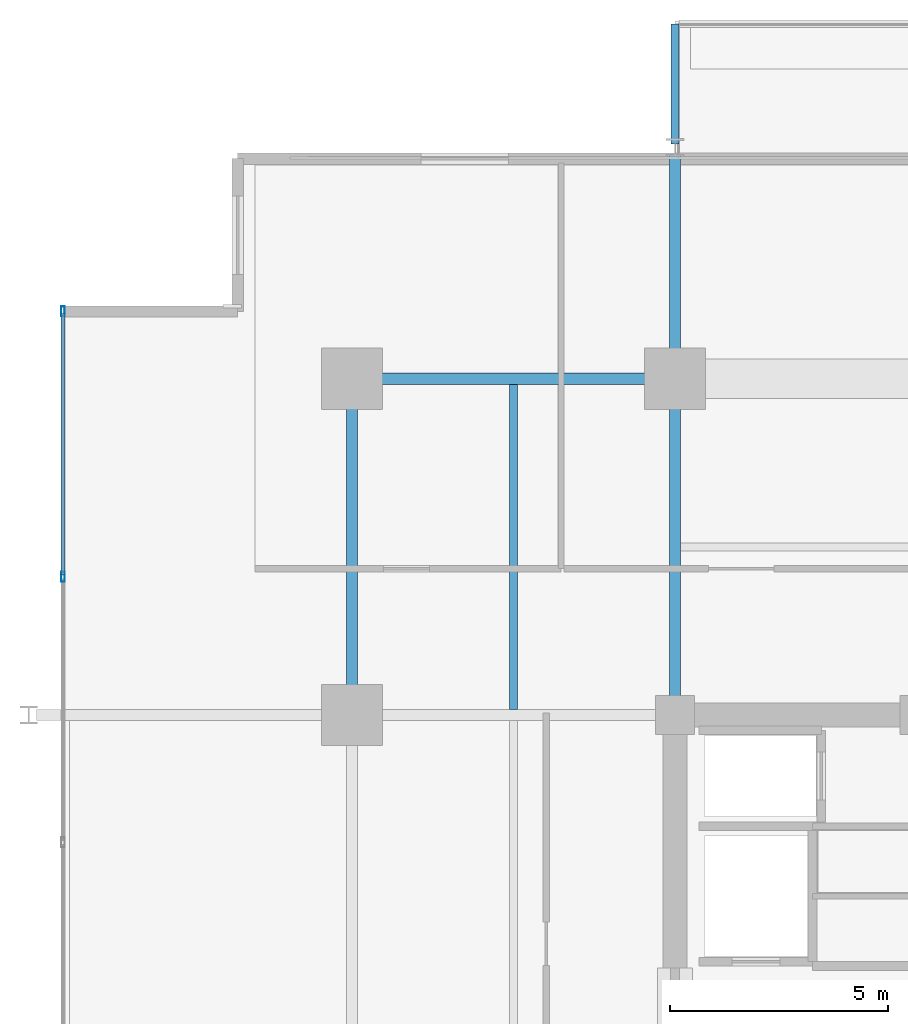
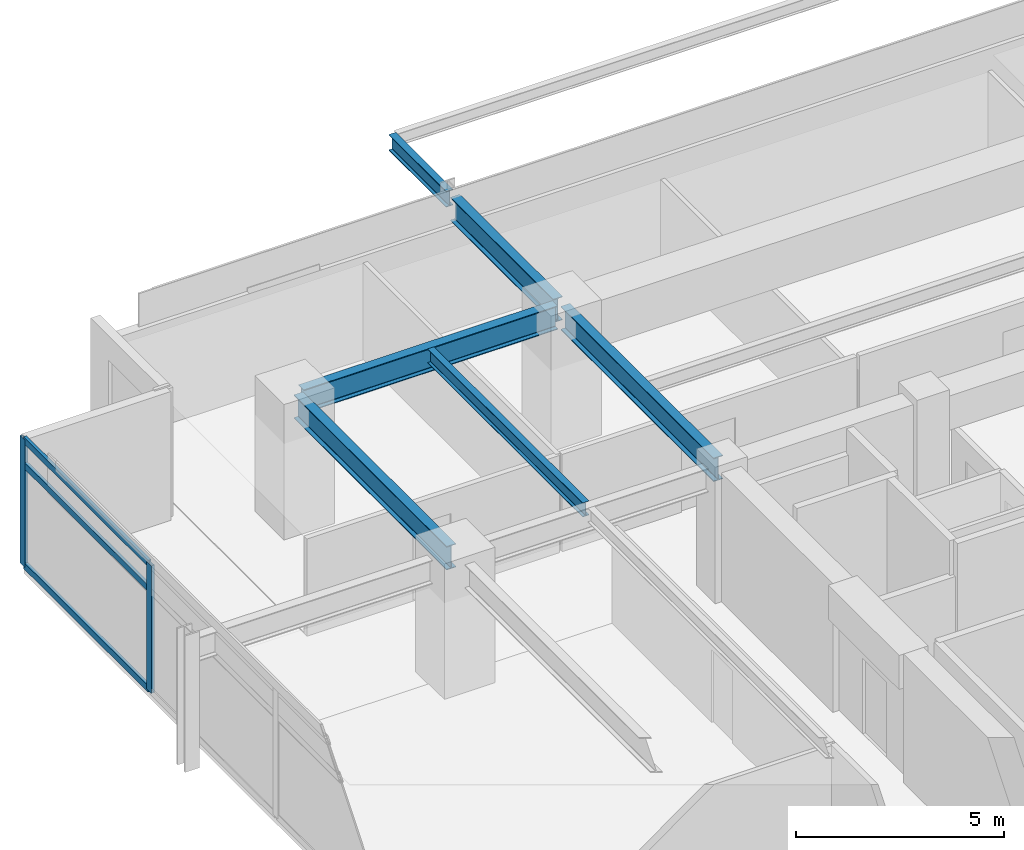
# One storey, part 11 of 21: 6 beams, 5 members, 1 element without a shape of its own.
"""IFC4 building model written with IfcOpenShell, lengths in metres."""

import ifcopenshell
import ifcopenshell.guid

model = None  # the IFC model being written
_history = None  # IfcOwnerHistory: only IFC2X3 demands one
_inside = {}  # id of a spatial element -> (the spatial element, [elements in it])
_under = {}  # id of a project, library or spatial element -> (it, [spatial elements below it])
_declared = {}  # id of a project -> (the project, [libraries it declares])
_typed = {}  # id of a type object -> (the type object, [elements of that type])
_made_of = {}  # id of a material, layer set ... -> (it, [elements and type objects made of it])


def new_model(schema):
    """Start an empty IFC model of exactly this schema.

    Asked for "IFC4X3", IfcOpenShell would pick the latest addendum, in which some entities
    have other attributes; the version numbers below select the first issue.
    IFC2X3 requires an IfcOwnerHistory on every rooted entity: one is made here for all.
    """
    global model, _history
    if schema == "IFC4X3":
        model = ifcopenshell.file(schema_version=(4, 3, 0, 0))
    else:
        model = ifcopenshell.file(schema=schema)
    _inside.clear()
    _under.clear()
    _declared.clear()
    _typed.clear()
    _made_of.clear()
    _history = None
    if model.schema == "IFC2X3":
        org = make("IfcOrganization", Name="unknown")
        user = make(
            "IfcPersonAndOrganization",
            ThePerson=make("IfcPerson", FamilyName="unknown"),
            TheOrganization=org,
        )
        app = make(
            "IfcApplication",
            ApplicationDeveloper=org,
            Version="unknown",
            ApplicationFullName="unknown",
            ApplicationIdentifier="unknown",
        )
        _history = make(
            "IfcOwnerHistory",
            OwningUser=user,
            OwningApplication=app,
            ChangeAction="ADDED",
            CreationDate=0,
        )
    return model


def make(cls, **values):
    """One entity of the class cls with the attributes given. An attribute that is None is left unset."""
    return model.create_entity(
        cls, **{name: value for name, value in values.items() if value is not None}
    )


def rooted(cls, **values):
    """An entity with a GlobalId (a new one), such as an element, a storey or a relation."""
    return make(cls, GlobalId=ifcopenshell.guid.new(), OwnerHistory=_history, **values)


def si_unit(unit_type, name, prefix=None):
    """IfcSIUnit, for example si_unit("LENGTHUNIT", "METRE", prefix="MILLI")."""
    return make("IfcSIUnit", UnitType=unit_type, Prefix=prefix, Name=name)


def assignment(units):
    """IfcUnitAssignment: the units of a project."""
    return None if units is None else make("IfcUnitAssignment", Units=units)


def point(xyz):
    """IfcCartesianPoint."""
    return None if xyz is None else make("IfcCartesianPoint", Coordinates=xyz)


def direction(xyz):
    """IfcDirection."""
    return None if xyz is None else make("IfcDirection", DirectionRatios=xyz)


def frame(location, z_axis=None, x_axis=None):
    """IfcAxis2Placement3D, a coordinate frame: its origin and axes. An axis left out is left unset."""
    return make(
        "IfcAxis2Placement3D",
        Location=point(location),
        Axis=direction(z_axis),
        RefDirection=direction(x_axis),
    )


def frame_2d(location, x_axis=None):
    """IfcAxis2Placement2D, a coordinate frame in the plane: its origin and x axis."""
    return make(
        "IfcAxis2Placement2D", Location=point(location), RefDirection=direction(x_axis)
    )


def origin():
    """The frame at (0, 0, 0) with its axes left unset."""
    return frame((0.0, 0.0, 0.0))


def origin_2d():
    """The frame at (0, 0) in the plane with its x axis left unset."""
    return frame_2d((0.0, 0.0))


def place(relative_to, where):
    """IfcLocalPlacement: puts the frame where relative to a parent placement (None: the world)."""
    return make(
        "IfcLocalPlacement", PlacementRelTo=relative_to, RelativePlacement=where
    )


def context(
    kind, dimensions, precision=None, world=None, true_north=None, identifier=None
):
    """IfcGeometricRepresentationContext, for example the 3D "Model" context."""
    return make(
        "IfcGeometricRepresentationContext",
        ContextIdentifier=identifier,
        ContextType=kind,
        CoordinateSpaceDimension=dimensions,
        Precision=precision,
        WorldCoordinateSystem=world,
        TrueNorth=true_north,
    )


def subcontext(parent, identifier, kind, view, scale=None):
    """IfcGeometricRepresentationSubContext, for example "Body" below "Model"."""
    return make(
        "IfcGeometricRepresentationSubContext",
        ContextIdentifier=identifier,
        ContextType=kind,
        ParentContext=parent,
        TargetScale=scale,
        TargetView=view,
    )


def project(units=None, contexts=None):
    """IfcProject with its units and contexts."""
    return rooted(
        "IfcProject",
        Name="project",
        RepresentationContexts=contexts,
        UnitsInContext=assignment(units),
    )


def spatial(cls, under=None, at=None, **own):
    """A site, building, storey or space (cls), placed at a placement, below another one or the project."""
    s = rooted(cls, ObjectPlacement=at, **own)
    if under is not None:
        _under.setdefault(under.id(), (under, []))[1].append(s)
    return s


def profile(cls, at=None, kind="AREA", **sizes):
    """A parametric profile (cls). Its sizes go by their IFC names, for example OverallWidth=200.0."""
    return make(cls, ProfileType=kind, Position=at, **sizes)


def hollow_rectangle(**sizes):
    """IfcRectangleHollowProfileDef."""
    return profile("IfcRectangleHollowProfileDef", **sizes)


def i_section(**sizes):
    """IfcIShapeProfileDef."""
    return profile("IfcIShapeProfileDef", **sizes)


def extrude(swept, where, along, depth):
    """IfcExtrudedAreaSolid: the profile swept, set in the frame where, extruded along a direction by depth."""
    return make(
        "IfcExtrudedAreaSolid",
        SweptArea=swept,
        Position=where,
        ExtrudedDirection=direction(along),
        Depth=depth,
    )


def shape(context_of_items, identifier, shape_type, items):
    """IfcShapeRepresentation: the items that make up one representation, for example the "Body"."""
    return make(
        "IfcShapeRepresentation",
        ContextOfItems=context_of_items,
        RepresentationIdentifier=identifier,
        RepresentationType=shape_type,
        Items=items,
    )


def material(Name=None, Category=None):
    """IfcMaterial."""
    return make("IfcMaterial", Name=Name, Category=Category)


def material_profile(
    of_material, cross_section, Name=None, Category=None, Priority=None
):
    """IfcMaterialProfile: a cross section and its material."""
    return make(
        "IfcMaterialProfile",
        Name=Name,
        Material=of_material,
        Profile=cross_section,
        Priority=Priority,
        Category=Category,
    )


def profile_set(profiles, Name=None, composite=None):
    """IfcMaterialProfileSet."""
    return make(
        "IfcMaterialProfileSet",
        Name=Name,
        MaterialProfiles=profiles,
        CompositeProfile=composite,
    )


def made_of(thing, what):
    """Note that an element or type object is made of a material, layer set ...; save() writes the relation."""
    if what is not None:
        _made_of.setdefault(what.id(), (what, []))[1].append(thing)
    return thing


def type_object(cls, material=None, **own):
    """A type object (cls), such as IfcWallType, which elements share."""
    return made_of(rooted(cls, **own), material)


def element(
    cls,
    number,
    at=None,
    inside=None,
    cuts=None,
    type_object=None,
    material=None,
    context=None,
    identifier="Body",
    shape_type=None,
    held_by="IfcProductDefinitionShape",
    body=None,
    shapes=None,
    **own,
):
    """One element of the class cls, such as IfcWall. Its Tag is "e" and its number.

    at: its placement. inside: the storey or other place that contains it. cuts: it is an
    opening in that element (IfcRelVoidsElement). A single representation is given by context,
    identifier, shape_type and body (its items); several are given by shapes. held_by: the class
    of the entity that holds the representations. save() writes the other relations.
    """
    e = rooted(cls, Tag="e%d" % number, ObjectPlacement=at, **own)
    if body is not None:
        shapes = [shape(context, identifier, shape_type, body)]
    if shapes is not None:
        e.Representation = make(held_by, Representations=shapes)
    if inside is not None:
        _inside.setdefault(inside.id(), (inside, []))[1].append(e)
    if cuts is not None:
        rooted(
            "IfcRelVoidsElement", RelatingBuildingElement=cuts, RelatedOpeningElement=e
        )
    if type_object is not None:
        _typed.setdefault(type_object.id(), (type_object, []))[1].append(e)
    return made_of(e, material)


def aggregate(whole, parts):
    """IfcRelAggregates: a whole, such as a stair, and the parts it consists of."""
    return rooted("IfcRelAggregates", RelatingObject=whole, RelatedObjects=parts)


def save(model, path):
    """Write the relations noted so far, then the file.

    IfcRelAggregates (storeys below a building ...), IfcRelContainedInSpatialStructure (elements
    in a storey), IfcRelDefinesByType, IfcRelAssociatesMaterial and IfcRelDeclares: one each for
    every whole, place, type object, material and project.
    """
    for whole, parts in _under.values():
        aggregate(whole, parts)
    for where, things in _inside.values():
        rooted(
            "IfcRelContainedInSpatialStructure",
            RelatedElements=things,
            RelatingStructure=where,
        )
    for kind, things in _typed.values():
        rooted("IfcRelDefinesByType", RelatedObjects=things, RelatingType=kind)
    for what, things in _made_of.values():
        rooted("IfcRelAssociatesMaterial", RelatedObjects=things, RelatingMaterial=what)
    for by, libraries in _declared.values():
        rooted("IfcRelDeclares", RelatingContext=by, RelatedDefinitions=libraries)
    model.write(path)


model = new_model("IFC4")

# Units and contexts
model_context = context("Model", 3, precision=1e-05, world=origin(), true_north=direction((0.0, 1.0)))
body_context = subcontext(model_context, "Body", "Model", "MODEL_VIEW")
ifc_project = project(units=[si_unit("LENGTHUNIT", "METRE"), si_unit("AREAUNIT", "SQUARE_METRE"), si_unit("VOLUMEUNIT", "CUBIC_METRE"), si_unit("PLANEANGLEUNIT", "RADIAN"), si_unit("MASSUNIT", "GRAM", prefix="KILO")], contexts=[model_context])

# Site, building, storey
site_placement = place(None, origin())
site = spatial("IfcSite", under=ifc_project, at=site_placement, CompositionType="ELEMENT")
building_placement = place(site_placement, origin())
building = spatial("IfcBuilding", under=site, at=building_placement, Name="Kovane Verandah Tower", CompositionType="ELEMENT")
storey_placement = place(building_placement, frame((0.0, 0.0, 209.199951171875)))
storey = spatial("IfcBuildingStorey", under=building, at=storey_placement, Name="L48", CompositionType="ELEMENT", Elevation=209.199951171875)

# Beams
ifc_material_1 = material(Name="Steel S355", Category="steel")
ifc_material_profile_1 = material_profile(ifc_material_1, i_section(OverallWidth=0.255859375, OverallDepth=0.69287109375, WebThickness=0.014404296875, FlangeThickness=0.023681640625, FilletRadius=0.01513671875, at=origin_2d()), Name="UB686x254x170")
ifc_profile_set_1 = profile_set([ifc_material_profile_1], Name="Steel S355")
beam_type_1 = type_object("IfcBeamType", Name="BM-UB686x170", PredefinedType="BEAM", material=ifc_profile_set_1)
beam_1_placement = place(storey_placement, frame((21.780029296875, 44.199951171875, 3.428466796875), z_axis=(1.0, 0.0, 0.0), x_axis=(0.0, 1.0, 0.0)))
element("IfcBeam", 1, at=beam_1_placement, inside=storey, type_object=beam_type_1, Name="L48 Primary Tower Girder G-RN1", PredefinedType="BEAM", context=body_context, shape_type="SweptSolid", body=[
    extrude(i_section(OverallWidth=0.255859375, OverallDepth=0.69287109375, WebThickness=0.014404296875, FlangeThickness=0.023681640625, FilletRadius=0.01513671875, at=origin_2d()), origin(), (0.0, 0.0, 1.0), 7.0400390625),
])
for number, where, z_axis, x_axis, name in (
    (2, (21.60009765625, 36.679931640625, 3.428466796875), (0.0, 1.0, 0.0), (-1.0, 0.0, 0.0), "L48 Primary Tower Girder G-RW3"),
    (3, (29.0, 36.679931640625, 3.428466796875), (0.0, 1.0, 0.0), (-1.0, 0.0, 0.0), "L48 Primary Tower Girder G-N1"),
):
    element("IfcBeam", number, at=place(storey_placement, frame(where, z_axis=z_axis, x_axis=x_axis)), inside=storey, type_object=beam_type_1, Name=name, PredefinedType="BEAM", context=body_context, shape_type="SweptSolid", body=[
        extrude(i_section(OverallWidth=0.255859375, OverallDepth=0.69287109375, WebThickness=0.014404296875, FlangeThickness=0.023681640625, FilletRadius=0.01513671875, at=origin_2d()), origin(), (0.0, 0.0, 1.0), 7.340087890625),
    ])
beam_2_placement = place(storey_placement, frame((29.0, 44.3798828125, 3.41357421875), z_axis=(0.0, 1.0, 0.0), x_axis=(-1.0, 0.0, 0.0)))
element("IfcBeam", 4, at=beam_2_placement, inside=storey, type_object=beam_type_1, Name="L48 Primary Tower Girder G-VN1", PredefinedType="BEAM", context=body_context, shape_type="SweptSolid", body=[
    extrude(i_section(OverallWidth=0.255859375, OverallDepth=0.69287109375, WebThickness=0.014404296875, FlangeThickness=0.023681640625, FilletRadius=0.01513671875, at=origin_2d()), origin(), (0.0, 0.0, 1.0), 4.940185546875),
])

# Curtain wall, members
ifc_material_2 = material(Name="Champagne Anodised Aluminium Frame with Low-E Clear Laminated Glass", Category="aluminium")
curtain_wall_type = type_object("IfcCurtainWallType", Name="CW-SYS-03-MID", PredefinedType="NOTDEFINED", material=ifc_material_2)
curtain_wall_placement = place(storey_placement, origin())
curtain_wall = element("IfcCurtainWall", 5, at=curtain_wall_placement, inside=storey, type_object=curtain_wall_type, Name="L48 W Unitised Curtain Wall", PredefinedType="NOTDEFINED")
ifc_material_3 = material(Name="Champagne Anodised Aluminium 6063-T6", Category="aluminium")
ifc_material_profile_2 = material_profile(ifc_material_3, hollow_rectangle(XDim=0.0849609375, YDim=0.22998046875, WallThickness=0.00390625, at=origin_2d()), Name="AL85x230x4")
ifc_profile_set_2 = profile_set([ifc_material_profile_2], Name="Champagne Anodised Aluminium 6063-T6")
member_type_1 = type_object("IfcMemberType", Name="CW-MUL-85x230", PredefinedType="MULLION", material=ifc_profile_set_2)
member_1_placement = place(storey_placement, frame((14.982177734375, 45.74169921875, 0.02001953125), z_axis=(0.0, 0.0, 1.0), x_axis=(-1.0, 0.0, 0.0)))
member_1 = element("IfcMember", 6, at=member_1_placement, type_object=member_type_1, Name="L48 W Unitised Curtain Wall Mullion 1", PredefinedType="MULLION", context=body_context, shape_type="SweptSolid", body=[
    extrude(hollow_rectangle(XDim=0.0849609375, YDim=0.22998046875, WallThickness=0.00390625, at=origin_2d()), origin(), (0.0, 0.0, 1.0), 3.735107421875),
])
member_2_placement = place(storey_placement, frame((14.982177734375, 39.6611328125, 0.02001953125), z_axis=(0.0, 0.0, 1.0), x_axis=(-1.0, 0.0, 0.0)))
member_2 = element("IfcMember", 7, at=member_2_placement, type_object=member_type_1, Name="L48 W Unitised Curtain Wall Mullion 2", PredefinedType="MULLION", context=body_context, shape_type="SweptSolid", body=[
    extrude(hollow_rectangle(XDim=0.0849609375, YDim=0.22998046875, WallThickness=0.00390625, at=origin_2d()), origin(), (0.0, 0.0, 1.0), 3.735107421875),
])
ifc_material_profile_3 = material_profile(ifc_material_3, hollow_rectangle(XDim=0.0849609375, YDim=0.18994140625, WallThickness=0.00390625, at=origin_2d()), Name="AL85x190x4")
ifc_profile_set_3 = profile_set([ifc_material_profile_3], Name="Champagne Anodised Aluminium 6063-T6")
member_type_2 = type_object("IfcMemberType", Name="CW-TRN-85x190", PredefinedType="USERDEFINED", material=ifc_profile_set_3)
member_3_placement = place(storey_placement, frame((14.982177734375, 45.691650390625, 0.050048828125), z_axis=(0.0, -1.0, 0.0), x_axis=(1.0, 0.0, 0.0)))
member_3 = element("IfcMember", 8, at=member_3_placement, type_object=member_type_2, Name="L48 W Unitised Curtain Wall Transom TB Bay 1", ObjectType="TRANSOM", PredefinedType="USERDEFINED", context=body_context, shape_type="SweptSolid", body=[
    extrude(hollow_rectangle(XDim=0.0849609375, YDim=0.18994140625, WallThickness=0.00390625, at=origin_2d()), origin(), (0.0, 0.0, 1.0), 5.98046875),
])
member_4_placement = place(storey_placement, frame((14.982177734375, 45.691650390625, 2.9951171875), z_axis=(0.0, -1.0, 0.0), x_axis=(1.0, 0.0, 0.0)))
member_4 = element("IfcMember", 9, at=member_4_placement, type_object=member_type_2, Name="L48 W Unitised Curtain Wall Transom TM Bay 1", ObjectType="TRANSOM", PredefinedType="USERDEFINED", context=body_context, shape_type="SweptSolid", body=[
    extrude(hollow_rectangle(XDim=0.0849609375, YDim=0.18994140625, WallThickness=0.00390625, at=origin_2d()), origin(), (0.0, 0.0, 1.0), 5.98046875),
])
member_5_placement = place(storey_placement, frame((14.982177734375, 45.691650390625, 3.72509765625), z_axis=(0.0, -1.0, 0.0), x_axis=(1.0, 0.0, 0.0)))
member_5 = element("IfcMember", 10, at=member_5_placement, type_object=member_type_2, Name="L48 W Unitised Curtain Wall Transom TT Bay 1", ObjectType="TRANSOM", PredefinedType="USERDEFINED", context=body_context, shape_type="SweptSolid", body=[
    extrude(hollow_rectangle(XDim=0.0849609375, YDim=0.18994140625, WallThickness=0.00390625, at=origin_2d()), origin(), (0.0, 0.0, 1.0), 5.98046875),
])
aggregate(curtain_wall, [member_1, member_2, member_3, member_4, member_5])

# Beams
ifc_material_profile_4 = material_profile(ifc_material_1, i_section(OverallWidth=0.179443359375, OverallDepth=0.412841796875, WebThickness=0.009521484375, FlangeThickness=0.01611328125, FilletRadius=0.01025390625, at=origin_2d()), Name="UB406x178x74")
ifc_profile_set_4 = profile_set([ifc_material_profile_4], Name="Steel S355")
beam_type_2 = type_object("IfcBeamType", Name="JST-UB406x74", PredefinedType="JOIST", material=ifc_profile_set_4)
beam_3_placement = place(storey_placement, frame((25.300048828125, 36.6259765625, 3.568603515625), z_axis=(0.0, 1.0, 0.0), x_axis=(-1.0, 0.0, 0.0)))
element("IfcBeam", 11, at=beam_3_placement, inside=storey, type_object=beam_type_2, Name="L48 Secondary Composite Joist J-NW1", PredefinedType="JOIST", context=body_context, shape_type="SweptSolid", body=[
    extrude(i_section(OverallWidth=0.179443359375, OverallDepth=0.412841796875, WebThickness=0.009521484375, FlangeThickness=0.01611328125, FilletRadius=0.01025390625, at=origin_2d()), origin(), (0.0, 0.0, 1.0), 7.4482421875),
])
ifc_material_profile_5 = material_profile(ifc_material_1, i_section(OverallWidth=0.19287109375, OverallDepth=0.46728515625, WebThickness=0.011474609375, FlangeThickness=0.01953125, FilletRadius=0.01025390625, at=origin_2d()), Name="UB457x191x98")
ifc_profile_set_5 = profile_set([ifc_material_profile_5], Name="Steel S355")
beam_type_3 = type_object("IfcBeamType", Name="JST-UB457x98", PredefinedType="JOIST", material=ifc_profile_set_5)
beam_4_placement = place(storey_placement, frame((29.0, 49.580078125, 3.5263671875), z_axis=(0.0, 1.0, 0.0), x_axis=(-1.0, 0.0, 0.0)))
element("IfcBeam", 12, at=beam_4_placement, inside=storey, type_object=beam_type_3, Name="L48 North Planter Girder 1", PredefinedType="JOIST", context=body_context, shape_type="SweptSolid", body=[
    extrude(i_section(OverallWidth=0.19287109375, OverallDepth=0.46728515625, WebThickness=0.011474609375, FlangeThickness=0.01953125, FilletRadius=0.01025390625, at=origin_2d()), origin(), (0.0, 0.0, 1.0), 2.75048828125),
])

save(model, "model.ifc")
